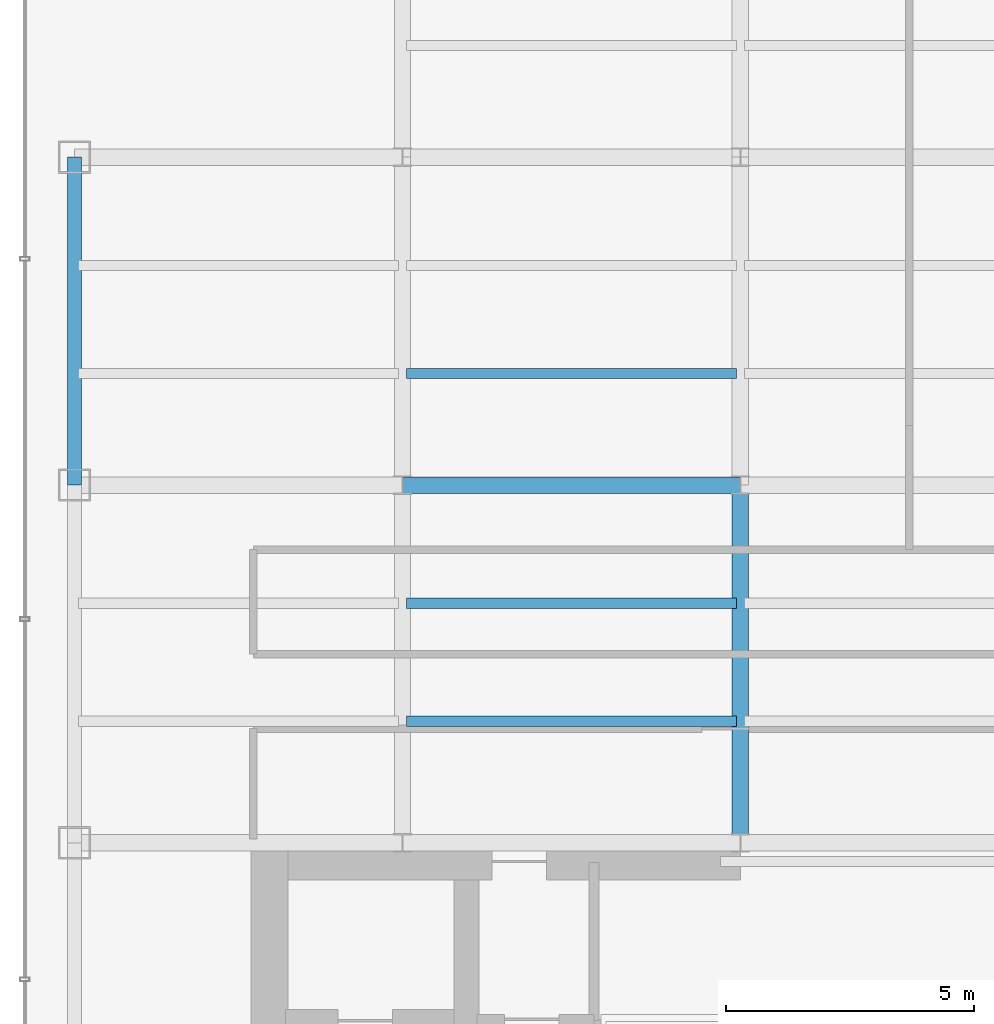
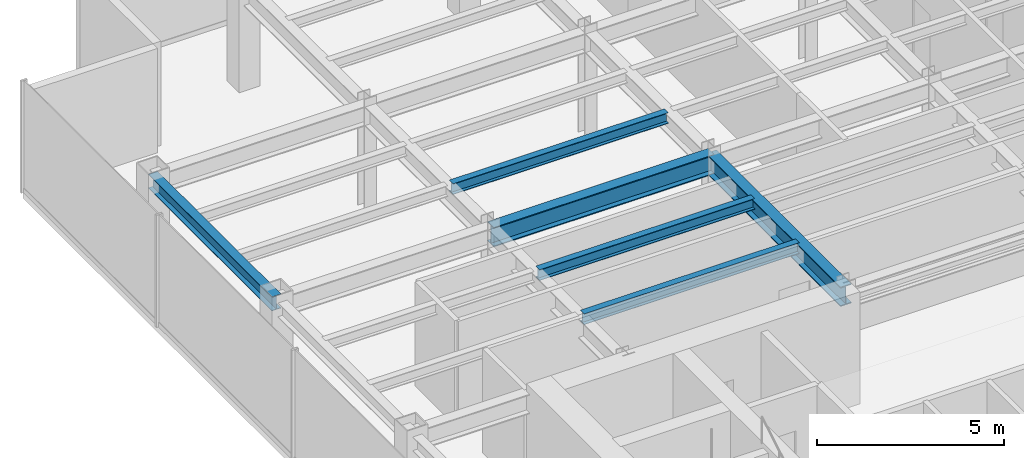
# One storey, part 6 of 25: 6 beams.
"""IFC4 building model written with IfcOpenShell, lengths in metres."""

from ifc_helpers import new_model, si_unit, derived_unit, direction, frame, origin, origin_2d, place, context, subcontext, project, spatial, i_section, extrude, source, transform, mapped, material, material_profile, profile_set, type_object, element, save


model = new_model("IFC4")

# Units and contexts
model_context = context("Model", 3, precision=1e-05, world=origin(), true_north=direction((0.0, 1.0)))
body_context = subcontext(model_context, "Body", "Model", "MODEL_VIEW")
ifc_project = project(units=[si_unit("LENGTHUNIT", "METRE"), si_unit("AREAUNIT", "SQUARE_METRE"), si_unit("VOLUMEUNIT", "CUBIC_METRE"), si_unit("PLANEANGLEUNIT", "RADIAN"), si_unit("MASSUNIT", "GRAM", prefix="KILO"), derived_unit("THERMALTRANSMITTANCEUNIT", [(si_unit("POWERUNIT", "WATT"), 1), (si_unit("LENGTHUNIT", "METRE"), -2), (si_unit("THERMODYNAMICTEMPERATUREUNIT", "KELVIN"), -1)])], contexts=[model_context])

# Site, building, storey
site_placement = place(None, origin())
site = spatial("IfcSite", under=ifc_project, at=site_placement, CompositionType="ELEMENT")
building_placement = place(site_placement, origin())
building = spatial("IfcBuilding", under=site, at=building_placement, Name="Skarnbrae Concourse Arena and Tower", CompositionType="ELEMENT")
storey_placement = place(building_placement, frame((0.0, 0.0, 147.89990234375)))
storey = spatial("IfcBuildingStorey", under=building, at=storey_placement, Name="L37", CompositionType="ELEMENT", Elevation=147.89990234375)

# Beams
ifc_material = material(Name="Steel CSA G40.21 350W", Category="steel")
ifc_material_profile_1 = material_profile(ifc_material, i_section(OverallWidth=0.3291015625, OverallDepth=0.635009765625, WebThickness=0.017822265625, FlangeThickness=0.031005859375, at=origin_2d()), Name="W610X241")
ifc_profile_set_1 = profile_set([ifc_material_profile_1], Name="Steel CSA G40.21 350W")
beam_type_1 = type_object("IfcBeamType", Name="BM-GIRD-W610X241", PredefinedType="BEAM", material=ifc_profile_set_1)
shared_shape_1 = source(origin(), body_context, "Body", "SweptSolid", [
    extrude(i_section(OverallWidth=0.3291015625, OverallDepth=0.635009765625, WebThickness=0.017822265625, FlangeThickness=0.031005859375, at=origin_2d()), origin(), (0.0, 0.0, 1.0), 6.7998046875),
])
beam_1_placement = place(storey_placement, frame((7.60009765625, 21.199951171875, 3.08251953125), z_axis=(1.0, 0.0, 0.0), x_axis=(0.0, 1.0, 0.0)))
element("IfcBeam", 1, at=beam_1_placement, inside=storey, type_object=beam_type_1, Name="L37 Primary E-W girder Y21.2-2", PredefinedType="BEAM", context=body_context, shape_type="MappedRepresentation", body=[
    mapped(shared_shape_1, transform((0.0, 0.0, 0.0))),
])
ifc_material_profile_2 = material_profile(ifc_material, i_section(OverallWidth=0.280029296875, OverallDepth=0.462890625, WebThickness=0.0107421875, FlangeThickness=0.017333984375, at=origin_2d()), Name="W460X113")
ifc_profile_set_2 = profile_set([ifc_material_profile_2], Name="Steel CSA G40.21 350W")
beam_type_2 = type_object("IfcBeamType", Name="BM-SPAN-W460X113", PredefinedType="SPANDREL", material=ifc_profile_set_2)
shared_shape_2 = source(origin(), body_context, "Body", "SweptSolid", [
    extrude(i_section(OverallWidth=0.280029296875, OverallDepth=0.462890625, WebThickness=0.0107421875, FlangeThickness=0.017333984375, at=origin_2d()), origin(), (0.0, 0.0, 1.0), 6.60009765625),
])
beam_2_placement = place(storey_placement, frame((1.0, 21.199951171875, 3.168701171875), z_axis=(0.0, 1.0, 0.0), x_axis=(-1.0, 0.0, 0.0)))
element("IfcBeam", 2, at=beam_2_placement, inside=storey, type_object=beam_type_2, Name="L37 Perimeter spandrel X1.0-3", PredefinedType="SPANDREL", context=body_context, shape_type="MappedRepresentation", body=[
    mapped(shared_shape_2, transform((0.0, 0.0, 0.0))),
])
shared_shape_3 = source(origin(), body_context, "Body", "SweptSolid", [
    extrude(i_section(OverallWidth=0.3291015625, OverallDepth=0.635009765625, WebThickness=0.017822265625, FlangeThickness=0.031005859375, at=origin_2d()), origin(), (0.0, 0.0, 1.0), 7.199951171875),
])
beam_3_placement = place(storey_placement, frame((14.39990234375, 14.0, 3.08251953125), z_axis=(0.0, 1.0, 0.0), x_axis=(-1.0, 0.0, 0.0)))
element("IfcBeam", 3, at=beam_3_placement, inside=storey, type_object=beam_type_1, Name="L37 Primary N-S girder X14.4-1", PredefinedType="BEAM", context=body_context, shape_type="MappedRepresentation", body=[
    mapped(shared_shape_3, transform((0.0, 0.0, 0.0))),
])
ifc_material_profile_3 = material_profile(ifc_material, i_section(OverallWidth=0.205078125, OverallDepth=0.35400390625, WebThickness=0.009521484375, FlangeThickness=0.016845703125, at=origin_2d()), Name="W360X79")
ifc_profile_set_3 = profile_set([ifc_material_profile_3], Name="Steel CSA G40.21 350W")
beam_type_3 = type_object("IfcBeamType", Name="BM-JOIST-W360X79", PredefinedType="JOIST", material=ifc_profile_set_3)
shared_shape_4 = source(origin(), body_context, "Body", "SweptSolid", [
    extrude(i_section(OverallWidth=0.205078125, OverallDepth=0.35400390625, WebThickness=0.009521484375, FlangeThickness=0.016845703125, at=origin_2d()), origin(), (0.0, 0.0, 1.0), 6.64013671875),
])
for number, where, z_axis, x_axis, name in (
    (4, (7.679931640625, 16.447998046875, 3.22314453125), (1.0, 0.0, 0.0), (0.0, 1.0, 0.0), "L37 Secondary floor joist 1.1.2"),
    (5, (7.679931640625, 18.823974609375, 3.22314453125), (1.0, 0.0, 0.0), (0.0, 1.0, 0.0), "L37 Secondary floor joist 1.2.2"),
    (6, (7.679931640625, 23.444091796875, 3.22314453125), (1.0, 0.0, 0.0), (0.0, 1.0, 0.0), "L37 Secondary floor joist 2.1.2"),
):
    element("IfcBeam", number, at=place(storey_placement, frame(where, z_axis=z_axis, x_axis=x_axis)), inside=storey, type_object=beam_type_3, Name=name, PredefinedType="JOIST", context=body_context, shape_type="MappedRepresentation", body=[
        mapped(shared_shape_4, transform((0.0, 0.0, 0.0))),
    ])

save(model, "model.ifc")
